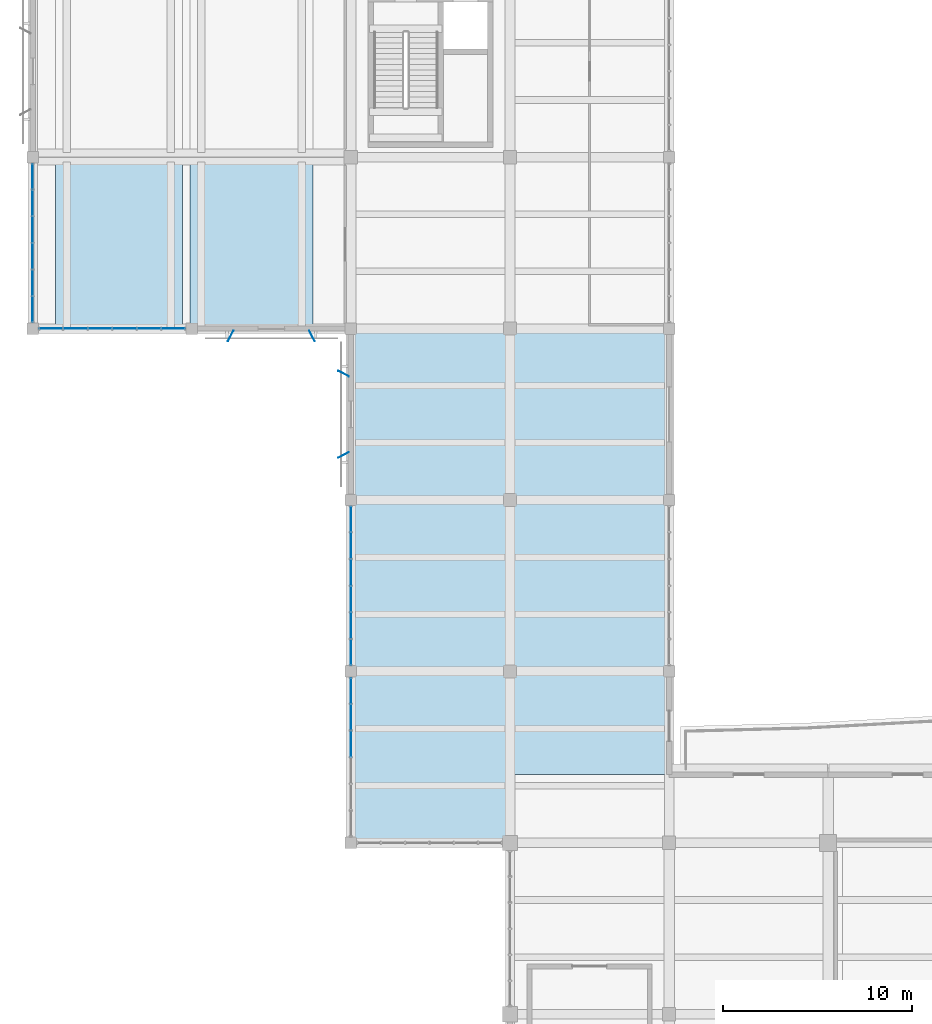
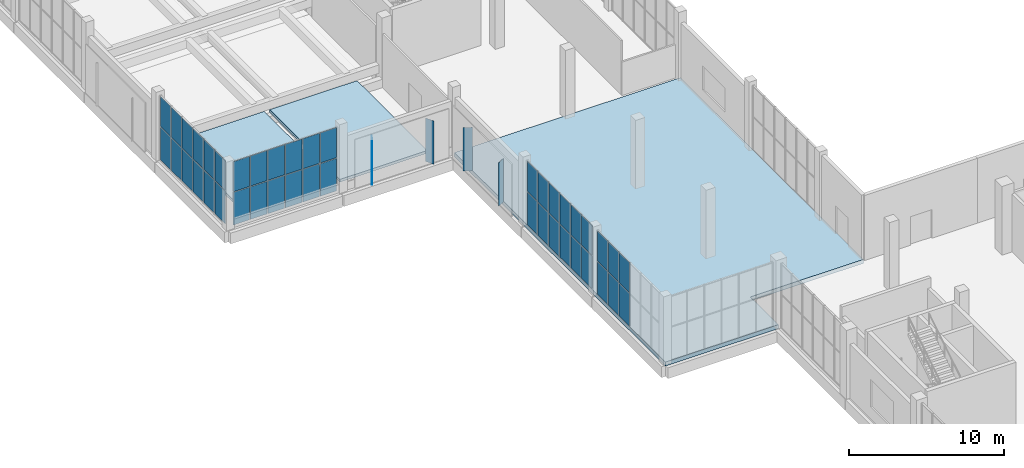
# One storey, part 96 of 132: 46 plates, 3 slabs, 4 elements without a shape of their own.
"""IFC4 building model written with IfcOpenShell, lengths in metres."""

from ifc_helpers import new_model, si_unit, direction, frame, origin, origin_2d, place, context, subcontext, project, spatial, polyline, rectangle, outline, extrude, material, layer, layer_set, type_object, element, aggregate, save


model = new_model("IFC4")

# Units and contexts
model_context = context("Model", 3, precision=1e-05, world=origin(), true_north=direction((0.0, 1.0)))
body_context = subcontext(model_context, "Body", "Model", "MODEL_VIEW")
ifc_project = project(units=[si_unit("LENGTHUNIT", "METRE"), si_unit("AREAUNIT", "SQUARE_METRE"), si_unit("VOLUMEUNIT", "CUBIC_METRE"), si_unit("PLANEANGLEUNIT", "RADIAN"), si_unit("MASSUNIT", "GRAM", prefix="KILO")], contexts=[model_context])

# Site, building, storey
site_placement = place(None, origin())
site = spatial("IfcSite", under=ifc_project, at=site_placement, CompositionType="ELEMENT")
building_placement = place(site_placement, origin())
building = spatial("IfcBuilding", under=site, at=building_placement, Name="Khurvash Pelagic Aquarium", CompositionType="ELEMENT")
storey_placement = place(building_placement, frame((0.0, 0.0, 5.39990234375)))
storey = spatial("IfcBuildingStorey", under=building, at=storey_placement, Name="L01", CompositionType="ELEMENT", Elevation=5.39990234375)

# Curtain wall, plates
ifc_material_1 = material(Name="Anodised aluminium and low-E laminated glass", Category="aluminium")
curtain_wall_type_1 = type_object("IfcCurtainWallType", Name="CW-05", PredefinedType="USERDEFINED", material=ifc_material_1)
curtain_wall_1_placement = place(storey_placement, origin())
curtain_wall_1 = element("IfcCurtainWall", 1, at=curtain_wall_1_placement, inside=storey, type_object=curtain_wall_type_1, Name="L01 Facade Unitised Curtain Wall CW-05 0127", ObjectType="UNITISED CURTAIN WALL", PredefinedType="USERDEFINED")
ifc_material_2 = material(Name="Low-E laminated double glazing", Category="glass")
ifc_layer_1 = layer(ifc_material_2, 0.033935546875)
ifc_layer_set_1 = layer_set([ifc_layer_1], Name="Low-E laminated double glazing")
plate_type_1 = type_object("IfcPlateType", Name="CG-05", PredefinedType="CURTAIN_PANEL", material=ifc_layer_set_1)
plate_1_placement = place(storey_placement, frame((0.96923828125, 56.89990234375, 0.06005859375), z_axis=(0.0, 0.0, 1.0), x_axis=(1.0, 0.0, 0.0)))
plate_1 = element("IfcPlate", 2, at=plate_1_placement, type_object=plate_type_1, Name="CW-05 panel 1.1", PredefinedType="CURTAIN_PANEL", context=body_context, shape_type="SweptSolid", body=[
    extrude(rectangle(XDim=1.208251953125, YDim=0.033935546875, at=origin_2d()), origin(), (0.0, 0.0, 1.0), 2.56201171875),
])
plate_2_placement = place(storey_placement, frame((0.96923828125, 56.89990234375, 2.68212890625), z_axis=(0.0, 0.0, 1.0), x_axis=(1.0, 0.0, 0.0)))
plate_2 = element("IfcPlate", 3, at=plate_2_placement, type_object=plate_type_1, Name="CW-05 panel 1.2", PredefinedType="CURTAIN_PANEL", context=body_context, shape_type="SweptSolid", body=[
    extrude(rectangle(XDim=1.208251953125, YDim=0.033935546875, at=origin_2d()), origin(), (0.0, 0.0, 1.0), 2.35791015625),
])
plate_3_placement = place(storey_placement, frame((2.25244140625, 56.89990234375, 0.06005859375), z_axis=(0.0, 0.0, 1.0), x_axis=(1.0, 0.0, 0.0)))
plate_3 = element("IfcPlate", 4, at=plate_3_placement, type_object=plate_type_1, Name="CW-05 panel 2.1", PredefinedType="CURTAIN_PANEL", context=body_context, shape_type="SweptSolid", body=[
    extrude(rectangle(XDim=1.23828125, YDim=0.033935546875, at=origin_2d()), origin(), (0.0, 0.0, 1.0), 2.56201171875),
])
plate_4_placement = place(storey_placement, frame((2.25244140625, 56.89990234375, 2.68212890625), z_axis=(0.0, 0.0, 1.0), x_axis=(1.0, 0.0, 0.0)))
plate_4 = element("IfcPlate", 5, at=plate_4_placement, type_object=plate_type_1, Name="CW-05 panel 2.2", PredefinedType="CURTAIN_PANEL", context=body_context, shape_type="SweptSolid", body=[
    extrude(rectangle(XDim=1.23828125, YDim=0.033935546875, at=origin_2d()), origin(), (0.0, 0.0, 1.0), 2.35791015625),
])
plate_5_placement = place(storey_placement, frame((3.55078125, 56.89990234375, 0.06005859375), z_axis=(0.0, 0.0, 1.0), x_axis=(1.0, 0.0, 0.0)))
plate_5 = element("IfcPlate", 6, at=plate_5_placement, type_object=plate_type_1, Name="CW-05 panel 3.1", PredefinedType="CURTAIN_PANEL", context=body_context, shape_type="SweptSolid", body=[
    extrude(rectangle(XDim=1.23828125, YDim=0.033935546875, at=origin_2d()), origin(), (0.0, 0.0, 1.0), 2.56201171875),
])
plate_6_placement = place(storey_placement, frame((3.55078125, 56.89990234375, 2.68212890625), z_axis=(0.0, 0.0, 1.0), x_axis=(1.0, 0.0, 0.0)))
plate_6 = element("IfcPlate", 7, at=plate_6_placement, type_object=plate_type_1, Name="CW-05 panel 3.2", PredefinedType="CURTAIN_PANEL", context=body_context, shape_type="SweptSolid", body=[
    extrude(rectangle(XDim=1.23828125, YDim=0.033935546875, at=origin_2d()), origin(), (0.0, 0.0, 1.0), 2.35791015625),
])
plate_7_placement = place(storey_placement, frame((4.84912109375, 56.89990234375, 0.06005859375), z_axis=(0.0, 0.0, 1.0), x_axis=(1.0, 0.0, 0.0)))
plate_7 = element("IfcPlate", 8, at=plate_7_placement, type_object=plate_type_1, Name="CW-05 panel 4.1", PredefinedType="CURTAIN_PANEL", context=body_context, shape_type="SweptSolid", body=[
    extrude(rectangle(XDim=1.23828125, YDim=0.033935546875, at=origin_2d()), origin(), (0.0, 0.0, 1.0), 2.56201171875),
])
plate_8_placement = place(storey_placement, frame((4.84912109375, 56.89990234375, 2.68212890625), z_axis=(0.0, 0.0, 1.0), x_axis=(1.0, 0.0, 0.0)))
plate_8 = element("IfcPlate", 9, at=plate_8_placement, type_object=plate_type_1, Name="CW-05 panel 4.2", PredefinedType="CURTAIN_PANEL", context=body_context, shape_type="SweptSolid", body=[
    extrude(rectangle(XDim=1.23828125, YDim=0.033935546875, at=origin_2d()), origin(), (0.0, 0.0, 1.0), 2.35791015625),
])
plate_9_placement = place(storey_placement, frame((6.1474609375, 56.89990234375, 0.06005859375), z_axis=(0.0, 0.0, 1.0), x_axis=(1.0, 0.0, 0.0)))
plate_9 = element("IfcPlate", 10, at=plate_9_placement, type_object=plate_type_1, Name="CW-05 panel 5.1", PredefinedType="CURTAIN_PANEL", context=body_context, shape_type="SweptSolid", body=[
    extrude(rectangle(XDim=1.23828125, YDim=0.033935546875, at=origin_2d()), origin(), (0.0, 0.0, 1.0), 2.56201171875),
])
plate_10_placement = place(storey_placement, frame((6.1474609375, 56.89990234375, 2.68212890625), z_axis=(0.0, 0.0, 1.0), x_axis=(1.0, 0.0, 0.0)))
plate_10 = element("IfcPlate", 11, at=plate_10_placement, type_object=plate_type_1, Name="CW-05 panel 5.2", PredefinedType="CURTAIN_PANEL", context=body_context, shape_type="SweptSolid", body=[
    extrude(rectangle(XDim=1.23828125, YDim=0.033935546875, at=origin_2d()), origin(), (0.0, 0.0, 1.0), 2.35791015625),
])
plate_11_placement = place(storey_placement, frame((7.430908203125, 56.89990234375, 0.06005859375), z_axis=(0.0, 0.0, 1.0), x_axis=(1.0, 0.0, 0.0)))
plate_11 = element("IfcPlate", 12, at=plate_11_placement, type_object=plate_type_1, Name="CW-05 panel 6.1", PredefinedType="CURTAIN_PANEL", context=body_context, shape_type="SweptSolid", body=[
    extrude(rectangle(XDim=1.208251953125, YDim=0.033935546875, at=origin_2d()), origin(), (0.0, 0.0, 1.0), 2.56201171875),
])
plate_12_placement = place(storey_placement, frame((7.430908203125, 56.89990234375, 2.68212890625), z_axis=(0.0, 0.0, 1.0), x_axis=(1.0, 0.0, 0.0)))
plate_12 = element("IfcPlate", 13, at=plate_12_placement, type_object=plate_type_1, Name="CW-05 panel 6.2", PredefinedType="CURTAIN_PANEL", context=body_context, shape_type="SweptSolid", body=[
    extrude(rectangle(XDim=1.208251953125, YDim=0.033935546875, at=origin_2d()), origin(), (0.0, 0.0, 1.0), 2.35791015625),
])
aggregate(curtain_wall_1, [plate_1, plate_2, plate_3, plate_4, plate_5, plate_6, plate_7, plate_8, plate_9, plate_10, plate_11, plate_12])

curtain_wall_type_2 = type_object("IfcCurtainWallType", Name="CW-06", PredefinedType="USERDEFINED", material=ifc_material_1)
curtain_wall_2_placement = place(storey_placement, origin())
curtain_wall_2 = element("IfcCurtainWall", 14, at=curtain_wall_2_placement, inside=storey, type_object=curtain_wall_type_2, Name="L01 Facade Unitised Curtain Wall CW-06 0126", ObjectType="UNITISED CURTAIN WALL", PredefinedType="USERDEFINED")
ifc_layer_2 = layer(ifc_material_2, 0.030029296875)
ifc_layer_set_2 = layer_set([ifc_layer_2], Name="Low-E laminated double glazing")
plate_type_2 = type_object("IfcPlateType", Name="CG-06", PredefinedType="CURTAIN_PANEL", material=ifc_layer_set_2)
plate_13_placement = place(storey_placement, frame((0.0, 64.9267578125, 0.06005859375), z_axis=(0.0, 0.0, 1.0), x_axis=(0.0, -1.0, 0.0)))
plate_13 = element("IfcPlate", 15, at=plate_13_placement, type_object=plate_type_2, Name="CW-06 panel 1.1", PredefinedType="CURTAIN_PANEL", context=body_context, shape_type="SweptSolid", body=[
    extrude(rectangle(XDim=1.316650390625, YDim=0.030029296875, at=origin_2d()), origin(), (0.0, 0.0, 1.0), 2.56201171875),
])
plate_14_placement = place(storey_placement, frame((0.0, 64.9267578125, 2.68212890625), z_axis=(0.0, 0.0, 1.0), x_axis=(0.0, -1.0, 0.0)))
plate_14 = element("IfcPlate", 16, at=plate_14_placement, type_object=plate_type_2, Name="CW-06 panel 1.2", PredefinedType="CURTAIN_PANEL", context=body_context, shape_type="SweptSolid", body=[
    extrude(rectangle(XDim=1.316650390625, YDim=0.030029296875, at=origin_2d()), origin(), (0.0, 0.0, 1.0), 2.35791015625),
])
plate_15_placement = place(storey_placement, frame((0.0, 63.534912109375, 0.06005859375), z_axis=(0.0, 0.0, 1.0), x_axis=(0.0, -1.0, 0.0)))
plate_15 = element("IfcPlate", 17, at=plate_15_placement, type_object=plate_type_2, Name="CW-06 panel 2.1", PredefinedType="CURTAIN_PANEL", context=body_context, shape_type="SweptSolid", body=[
    extrude(rectangle(XDim=1.3466796875, YDim=0.030029296875, at=origin_2d()), origin(), (0.0, 0.0, 1.0), 2.56201171875),
])
plate_16_placement = place(storey_placement, frame((0.0, 63.534912109375, 2.68212890625), z_axis=(0.0, 0.0, 1.0), x_axis=(0.0, -1.0, 0.0)))
plate_16 = element("IfcPlate", 18, at=plate_16_placement, type_object=plate_type_2, Name="CW-06 panel 2.2", PredefinedType="CURTAIN_PANEL", context=body_context, shape_type="SweptSolid", body=[
    extrude(rectangle(XDim=1.3466796875, YDim=0.030029296875, at=origin_2d()), origin(), (0.0, 0.0, 1.0), 2.35791015625),
])
plate_17_placement = place(storey_placement, frame((0.0, 62.12841796875, 0.06005859375), z_axis=(0.0, 0.0, 1.0), x_axis=(0.0, -1.0, 0.0)))
plate_17 = element("IfcPlate", 19, at=plate_17_placement, type_object=plate_type_2, Name="CW-06 panel 3.1", PredefinedType="CURTAIN_PANEL", context=body_context, shape_type="SweptSolid", body=[
    extrude(rectangle(XDim=1.3466796875, YDim=0.030029296875, at=origin_2d()), origin(), (0.0, 0.0, 1.0), 2.56201171875),
])
plate_18_placement = place(storey_placement, frame((0.0, 62.12841796875, 2.68212890625), z_axis=(0.0, 0.0, 1.0), x_axis=(0.0, -1.0, 0.0)))
plate_18 = element("IfcPlate", 20, at=plate_18_placement, type_object=plate_type_2, Name="CW-06 panel 3.2", PredefinedType="CURTAIN_PANEL", context=body_context, shape_type="SweptSolid", body=[
    extrude(rectangle(XDim=1.3466796875, YDim=0.030029296875, at=origin_2d()), origin(), (0.0, 0.0, 1.0), 2.35791015625),
])
plate_19_placement = place(storey_placement, frame((0.0, 60.7216796875, 0.06005859375), z_axis=(0.0, 0.0, 1.0), x_axis=(0.0, -1.0, 0.0)))
plate_19 = element("IfcPlate", 21, at=plate_19_placement, type_object=plate_type_2, Name="CW-06 panel 4.1", PredefinedType="CURTAIN_PANEL", context=body_context, shape_type="SweptSolid", body=[
    extrude(rectangle(XDim=1.3466796875, YDim=0.030029296875, at=origin_2d()), origin(), (0.0, 0.0, 1.0), 2.56201171875),
])
plate_20_placement = place(storey_placement, frame((0.0, 60.7216796875, 2.68212890625), z_axis=(0.0, 0.0, 1.0), x_axis=(0.0, -1.0, 0.0)))
plate_20 = element("IfcPlate", 22, at=plate_20_placement, type_object=plate_type_2, Name="CW-06 panel 4.2", PredefinedType="CURTAIN_PANEL", context=body_context, shape_type="SweptSolid", body=[
    extrude(rectangle(XDim=1.3466796875, YDim=0.030029296875, at=origin_2d()), origin(), (0.0, 0.0, 1.0), 2.35791015625),
])
plate_21_placement = place(storey_placement, frame((0.0, 59.31494140625, 0.06005859375), z_axis=(0.0, 0.0, 1.0), x_axis=(0.0, -1.0, 0.0)))
plate_21 = element("IfcPlate", 23, at=plate_21_placement, type_object=plate_type_2, Name="CW-06 panel 5.1", PredefinedType="CURTAIN_PANEL", context=body_context, shape_type="SweptSolid", body=[
    extrude(rectangle(XDim=1.3466796875, YDim=0.030029296875, at=origin_2d()), origin(), (0.0, 0.0, 1.0), 2.56201171875),
])
plate_22_placement = place(storey_placement, frame((0.0, 59.31494140625, 2.68212890625), z_axis=(0.0, 0.0, 1.0), x_axis=(0.0, -1.0, 0.0)))
plate_22 = element("IfcPlate", 24, at=plate_22_placement, type_object=plate_type_2, Name="CW-06 panel 5.2", PredefinedType="CURTAIN_PANEL", context=body_context, shape_type="SweptSolid", body=[
    extrude(rectangle(XDim=1.3466796875, YDim=0.030029296875, at=origin_2d()), origin(), (0.0, 0.0, 1.0), 2.35791015625),
])
plate_23_placement = place(storey_placement, frame((0.0, 57.92333984375, 0.06005859375), z_axis=(0.0, 0.0, 1.0), x_axis=(0.0, -1.0, 0.0)))
plate_23 = element("IfcPlate", 25, at=plate_23_placement, type_object=plate_type_2, Name="CW-06 panel 6.1", PredefinedType="CURTAIN_PANEL", context=body_context, shape_type="SweptSolid", body=[
    extrude(rectangle(XDim=1.316650390625, YDim=0.030029296875, at=origin_2d()), origin(), (0.0, 0.0, 1.0), 2.56201171875),
])
plate_24_placement = place(storey_placement, frame((0.0, 57.92333984375, 2.68212890625), z_axis=(0.0, 0.0, 1.0), x_axis=(0.0, -1.0, 0.0)))
plate_24 = element("IfcPlate", 26, at=plate_24_placement, type_object=plate_type_2, Name="CW-06 panel 6.2", PredefinedType="CURTAIN_PANEL", context=body_context, shape_type="SweptSolid", body=[
    extrude(rectangle(XDim=1.316650390625, YDim=0.030029296875, at=origin_2d()), origin(), (0.0, 0.0, 1.0), 2.35791015625),
])
aggregate(curtain_wall_2, [plate_13, plate_14, plate_15, plate_16, plate_17, plate_18, plate_19, plate_20, plate_21, plate_22, plate_23, plate_24])

curtain_wall_3_placement = place(storey_placement, origin())
curtain_wall_3 = element("IfcCurtainWall", 27, at=curtain_wall_3_placement, inside=storey, type_object=curtain_wall_type_2, Name="L01 Facade Unitised Curtain Wall CW-06 0128", ObjectType="UNITISED CURTAIN WALL", PredefinedType="USERDEFINED")
plate_25_placement = place(storey_placement, frame((16.800048828125, 46.82666015625, 0.06005859375), z_axis=(0.0, 0.0, 1.0), x_axis=(0.0, -1.0, 0.0)))
plate_25 = element("IfcPlate", 28, at=plate_25_placement, type_object=plate_type_2, Name="CW-06 panel 1.1", PredefinedType="CURTAIN_PANEL", context=body_context, shape_type="SweptSolid", body=[
    extrude(rectangle(XDim=1.316650390625, YDim=0.030029296875, at=origin_2d()), origin(), (0.0, 0.0, 1.0), 2.56201171875),
])
plate_26_placement = place(storey_placement, frame((16.800048828125, 46.82666015625, 2.68212890625), z_axis=(0.0, 0.0, 1.0), x_axis=(0.0, -1.0, 0.0)))
plate_26 = element("IfcPlate", 29, at=plate_26_placement, type_object=plate_type_2, Name="CW-06 panel 1.2", PredefinedType="CURTAIN_PANEL", context=body_context, shape_type="SweptSolid", body=[
    extrude(rectangle(XDim=1.316650390625, YDim=0.030029296875, at=origin_2d()), origin(), (0.0, 0.0, 1.0), 2.35791015625),
])
plate_27_placement = place(storey_placement, frame((16.800048828125, 45.43505859375, 0.06005859375), z_axis=(0.0, 0.0, 1.0), x_axis=(0.0, -1.0, 0.0)))
plate_27 = element("IfcPlate", 30, at=plate_27_placement, type_object=plate_type_2, Name="CW-06 panel 2.1", PredefinedType="CURTAIN_PANEL", context=body_context, shape_type="SweptSolid", body=[
    extrude(rectangle(XDim=1.3466796875, YDim=0.030029296875, at=origin_2d()), origin(), (0.0, 0.0, 1.0), 2.56201171875),
])
plate_28_placement = place(storey_placement, frame((16.800048828125, 45.43505859375, 2.68212890625), z_axis=(0.0, 0.0, 1.0), x_axis=(0.0, -1.0, 0.0)))
plate_28 = element("IfcPlate", 31, at=plate_28_placement, type_object=plate_type_2, Name="CW-06 panel 2.2", PredefinedType="CURTAIN_PANEL", context=body_context, shape_type="SweptSolid", body=[
    extrude(rectangle(XDim=1.3466796875, YDim=0.030029296875, at=origin_2d()), origin(), (0.0, 0.0, 1.0), 2.35791015625),
])
plate_29_placement = place(storey_placement, frame((16.800048828125, 44.0283203125, 0.06005859375), z_axis=(0.0, 0.0, 1.0), x_axis=(0.0, -1.0, 0.0)))
plate_29 = element("IfcPlate", 32, at=plate_29_placement, type_object=plate_type_2, Name="CW-06 panel 3.1", PredefinedType="CURTAIN_PANEL", context=body_context, shape_type="SweptSolid", body=[
    extrude(rectangle(XDim=1.3466796875, YDim=0.030029296875, at=origin_2d()), origin(), (0.0, 0.0, 1.0), 2.56201171875),
])
plate_30_placement = place(storey_placement, frame((16.800048828125, 44.0283203125, 2.68212890625), z_axis=(0.0, 0.0, 1.0), x_axis=(0.0, -1.0, 0.0)))
plate_30 = element("IfcPlate", 33, at=plate_30_placement, type_object=plate_type_2, Name="CW-06 panel 3.2", PredefinedType="CURTAIN_PANEL", context=body_context, shape_type="SweptSolid", body=[
    extrude(rectangle(XDim=1.3466796875, YDim=0.030029296875, at=origin_2d()), origin(), (0.0, 0.0, 1.0), 2.35791015625),
])
plate_31_placement = place(storey_placement, frame((16.800048828125, 42.62158203125, 0.06005859375), z_axis=(0.0, 0.0, 1.0), x_axis=(0.0, -1.0, 0.0)))
plate_31 = element("IfcPlate", 34, at=plate_31_placement, type_object=plate_type_2, Name="CW-06 panel 4.1", PredefinedType="CURTAIN_PANEL", context=body_context, shape_type="SweptSolid", body=[
    extrude(rectangle(XDim=1.3466796875, YDim=0.030029296875, at=origin_2d()), origin(), (0.0, 0.0, 1.0), 2.56201171875),
])
plate_32_placement = place(storey_placement, frame((16.800048828125, 42.62158203125, 2.68212890625), z_axis=(0.0, 0.0, 1.0), x_axis=(0.0, -1.0, 0.0)))
plate_32 = element("IfcPlate", 35, at=plate_32_placement, type_object=plate_type_2, Name="CW-06 panel 4.2", PredefinedType="CURTAIN_PANEL", context=body_context, shape_type="SweptSolid", body=[
    extrude(rectangle(XDim=1.3466796875, YDim=0.030029296875, at=origin_2d()), origin(), (0.0, 0.0, 1.0), 2.35791015625),
])
plate_33_placement = place(storey_placement, frame((16.800048828125, 41.215087890625, 0.06005859375), z_axis=(0.0, 0.0, 1.0), x_axis=(0.0, -1.0, 0.0)))
plate_33 = element("IfcPlate", 36, at=plate_33_placement, type_object=plate_type_2, Name="CW-06 panel 5.1", PredefinedType="CURTAIN_PANEL", context=body_context, shape_type="SweptSolid", body=[
    extrude(rectangle(XDim=1.3466796875, YDim=0.030029296875, at=origin_2d()), origin(), (0.0, 0.0, 1.0), 2.56201171875),
])
plate_34_placement = place(storey_placement, frame((16.800048828125, 41.215087890625, 2.68212890625), z_axis=(0.0, 0.0, 1.0), x_axis=(0.0, -1.0, 0.0)))
plate_34 = element("IfcPlate", 37, at=plate_34_placement, type_object=plate_type_2, Name="CW-06 panel 5.2", PredefinedType="CURTAIN_PANEL", context=body_context, shape_type="SweptSolid", body=[
    extrude(rectangle(XDim=1.3466796875, YDim=0.030029296875, at=origin_2d()), origin(), (0.0, 0.0, 1.0), 2.35791015625),
])
plate_35_placement = place(storey_placement, frame((16.800048828125, 39.8232421875, 0.06005859375), z_axis=(0.0, 0.0, 1.0), x_axis=(0.0, -1.0, 0.0)))
plate_35 = element("IfcPlate", 38, at=plate_35_placement, type_object=plate_type_2, Name="CW-06 panel 6.1", PredefinedType="CURTAIN_PANEL", context=body_context, shape_type="SweptSolid", body=[
    extrude(rectangle(XDim=1.316650390625, YDim=0.030029296875, at=origin_2d()), origin(), (0.0, 0.0, 1.0), 2.56201171875),
])
plate_36_placement = place(storey_placement, frame((16.800048828125, 39.8232421875, 2.68212890625), z_axis=(0.0, 0.0, 1.0), x_axis=(0.0, -1.0, 0.0)))
plate_36 = element("IfcPlate", 39, at=plate_36_placement, type_object=plate_type_2, Name="CW-06 panel 6.2", PredefinedType="CURTAIN_PANEL", context=body_context, shape_type="SweptSolid", body=[
    extrude(rectangle(XDim=1.316650390625, YDim=0.030029296875, at=origin_2d()), origin(), (0.0, 0.0, 1.0), 2.35791015625),
])
aggregate(curtain_wall_3, [plate_25, plate_26, plate_27, plate_28, plate_29, plate_30, plate_31, plate_32, plate_33, plate_34, plate_35, plate_36])

curtain_wall_4_placement = place(storey_placement, origin())
curtain_wall_4 = element("IfcCurtainWall", 40, at=curtain_wall_4_placement, inside=storey, type_object=curtain_wall_type_2, Name="L01 Facade Unitised Curtain Wall CW-06 0129", ObjectType="UNITISED CURTAIN WALL", PredefinedType="USERDEFINED")
plate_37_placement = place(storey_placement, frame((16.800048828125, 37.776611328125, 0.06005859375), z_axis=(0.0, 0.0, 1.0), x_axis=(0.0, -1.0, 0.0)))
plate_37 = element("IfcPlate", 41, at=plate_37_placement, type_object=plate_type_2, Name="CW-06 panel 1.1", PredefinedType="CURTAIN_PANEL", context=body_context, shape_type="SweptSolid", body=[
    extrude(rectangle(XDim=1.316650390625, YDim=0.030029296875, at=origin_2d()), origin(), (0.0, 0.0, 1.0), 2.56201171875),
])
plate_38_placement = place(storey_placement, frame((16.800048828125, 37.776611328125, 2.68212890625), z_axis=(0.0, 0.0, 1.0), x_axis=(0.0, -1.0, 0.0)))
plate_38 = element("IfcPlate", 42, at=plate_38_placement, type_object=plate_type_2, Name="CW-06 panel 1.2", PredefinedType="CURTAIN_PANEL", context=body_context, shape_type="SweptSolid", body=[
    extrude(rectangle(XDim=1.316650390625, YDim=0.030029296875, at=origin_2d()), origin(), (0.0, 0.0, 1.0), 2.35791015625),
])
plate_39_placement = place(storey_placement, frame((16.800048828125, 36.385009765625, 0.06005859375), z_axis=(0.0, 0.0, 1.0), x_axis=(0.0, -1.0, 0.0)))
plate_39 = element("IfcPlate", 43, at=plate_39_placement, type_object=plate_type_2, Name="CW-06 panel 2.1", PredefinedType="CURTAIN_PANEL", context=body_context, shape_type="SweptSolid", body=[
    extrude(rectangle(XDim=1.3466796875, YDim=0.030029296875, at=origin_2d()), origin(), (0.0, 0.0, 1.0), 2.56201171875),
])
plate_40_placement = place(storey_placement, frame((16.800048828125, 36.385009765625, 2.68212890625), z_axis=(0.0, 0.0, 1.0), x_axis=(0.0, -1.0, 0.0)))
plate_40 = element("IfcPlate", 44, at=plate_40_placement, type_object=plate_type_2, Name="CW-06 panel 2.2", PredefinedType="CURTAIN_PANEL", context=body_context, shape_type="SweptSolid", body=[
    extrude(rectangle(XDim=1.3466796875, YDim=0.030029296875, at=origin_2d()), origin(), (0.0, 0.0, 1.0), 2.35791015625),
])
plate_41_placement = place(storey_placement, frame((16.800048828125, 34.978271484375, 0.06005859375), z_axis=(0.0, 0.0, 1.0), x_axis=(0.0, -1.0, 0.0)))
plate_41 = element("IfcPlate", 45, at=plate_41_placement, type_object=plate_type_2, Name="CW-06 panel 3.1", PredefinedType="CURTAIN_PANEL", context=body_context, shape_type="SweptSolid", body=[
    extrude(rectangle(XDim=1.3466796875, YDim=0.030029296875, at=origin_2d()), origin(), (0.0, 0.0, 1.0), 2.56201171875),
])
plate_42_placement = place(storey_placement, frame((16.800048828125, 34.978271484375, 2.68212890625), z_axis=(0.0, 0.0, 1.0), x_axis=(0.0, -1.0, 0.0)))
plate_42 = element("IfcPlate", 46, at=plate_42_placement, type_object=plate_type_2, Name="CW-06 panel 3.2", PredefinedType="CURTAIN_PANEL", context=body_context, shape_type="SweptSolid", body=[
    extrude(rectangle(XDim=1.3466796875, YDim=0.030029296875, at=origin_2d()), origin(), (0.0, 0.0, 1.0), 2.35791015625),
])
aggregate(curtain_wall_4, [plate_37, plate_38, plate_39, plate_40, plate_41, plate_42])

# Slab
ifc_material_3 = material(Name="Concrete C40/50", Category="concrete")
ifc_layer_3 = layer(ifc_material_3, 0.31005859375)
ifc_layer_set_3 = layer_set([ifc_layer_3], Name="Concrete C40/50")
slab_type_1 = type_object("IfcSlabType", Name="FS-310", PredefinedType="FLOOR", material=ifc_layer_set_3)
slab_1_placement = place(storey_placement, frame((0.0, 0.0, -0.309814453125)))
element("IfcSlab", 47, at=slab_1_placement, inside=storey, type_object=slab_type_1, Name="L01 Structural Floor Slab FS-310 V4_WLINK.1", PredefinedType="FLOOR", context=body_context, shape_type="SweptSolid", body=[
    extrude(outline(polyline([(33.60009765625, 56.89990234375), (16.800048828125, 56.89990234375), (16.800048828125, 29.75), (25.199951171875, 29.75), (25.199951171875, 33.35009765625), (33.60009765625, 33.35009765625), (33.60009765625, 56.89990234375)])), origin(), (0.0, 0.0, 1.0), 0.309814453125),
])

# Plates
ifc_material_4 = material(Name="Anodised aluminium AW-5005", Category="aluminium")
ifc_layer_4 = layer(ifc_material_4, 0.02392578125)
ifc_layer_set_4 = layer_set([ifc_layer_4], Name="Anodised aluminium AW-5005")
plate_type_3 = type_object("IfcPlateType", Name="SP-01", PredefinedType="SHEET", material=ifc_layer_set_4)
for number, where, z_axis, x_axis, name in (
    (48, (10.449951171875, 56.511962890625, 0.150146484375), (0.0, 0.0, 1.0), (-0.469471562786, -0.882947592859, 0.0), "L01 Parametric Folded Aluminium Solar Screen Fin SP-01 0013"),
    (49, (14.75, 56.511962890625, 0.150146484375), (0.0, 0.0, 1.0), (0.469471562786, -0.882947592859, 0.0), "L01 Parametric Folded Aluminium Solar Screen Fin SP-01 0014"),
    (50, (16.412109375, 54.52490234375, 0.150146484375), (0.0, 0.0, 1.0), (-0.882947592859, 0.469471562786, 0.0), "L01 Parametric Folded Aluminium Solar Screen Fin SP-01 0015"),
    (51, (16.412109375, 50.22509765625, 0.150146484375), (0.0, 0.0, 1.0), (-0.882947592859, -0.469471562786, 0.0), "L01 Parametric Folded Aluminium Solar Screen Fin SP-01 0016"),
):
    element("IfcPlate", number, at=place(storey_placement, frame(where, z_axis=z_axis, x_axis=x_axis)), inside=storey, type_object=plate_type_3, Name=name, PredefinedType="SHEET", context=body_context, shape_type="SweptSolid", body=[
        extrude(rectangle(XDim=0.6201171875, YDim=0.02392578125, at=origin_2d()), origin(), (0.0, 0.0, 1.0), 3.39990234375),
    ])

# Slabs
ifc_material_5 = material(Name="Concrete C35/45", Category="concrete")
ifc_layer_5 = layer(ifc_material_5, 0.2099609375)
ifc_layer_set_5 = layer_set([ifc_layer_5], Name="Concrete C35/45")
slab_type_2 = type_object("IfcSlabType", Name="ST-TIER", PredefinedType="USERDEFINED", material=ifc_layer_set_5)
slab_2_placement = place(storey_placement, frame((0.0, 0.0, 0.650146484375)))
element("IfcSlab", 52, at=slab_2_placement, inside=storey, type_object=slab_type_2, Name="L01 Marine Lecture Auditorium Stand Seating Tier 1", ObjectType="SEATING TIER", PredefinedType="USERDEFINED", context=body_context, shape_type="SweptSolid", body=[
    extrude(outline(polyline([(1.199951171875, 56.89990234375), (7.89990234375, 56.89990234375), (7.89990234375, 65.949951171875), (1.199951171875, 65.949951171875), (1.199951171875, 56.89990234375)])), origin(), (0.0, 0.0, 1.0), 0.2099609375),
])
slab_3_placement = place(storey_placement, frame((0.0, 0.0, 0.650146484375)))
element("IfcSlab", 53, at=slab_3_placement, inside=storey, type_object=slab_type_2, Name="L01 Marine Lecture Auditorium Stand Seating Tier 2", ObjectType="SEATING TIER", PredefinedType="USERDEFINED", context=body_context, shape_type="SweptSolid", body=[
    extrude(outline(polyline([(8.300048828125, 56.89990234375), (14.800048828125, 56.89990234375), (14.800048828125, 65.949951171875), (8.300048828125, 65.949951171875), (8.300048828125, 56.89990234375)])), origin(), (0.0, 0.0, 1.0), 0.2099609375),
])

save(model, "model.ifc")
